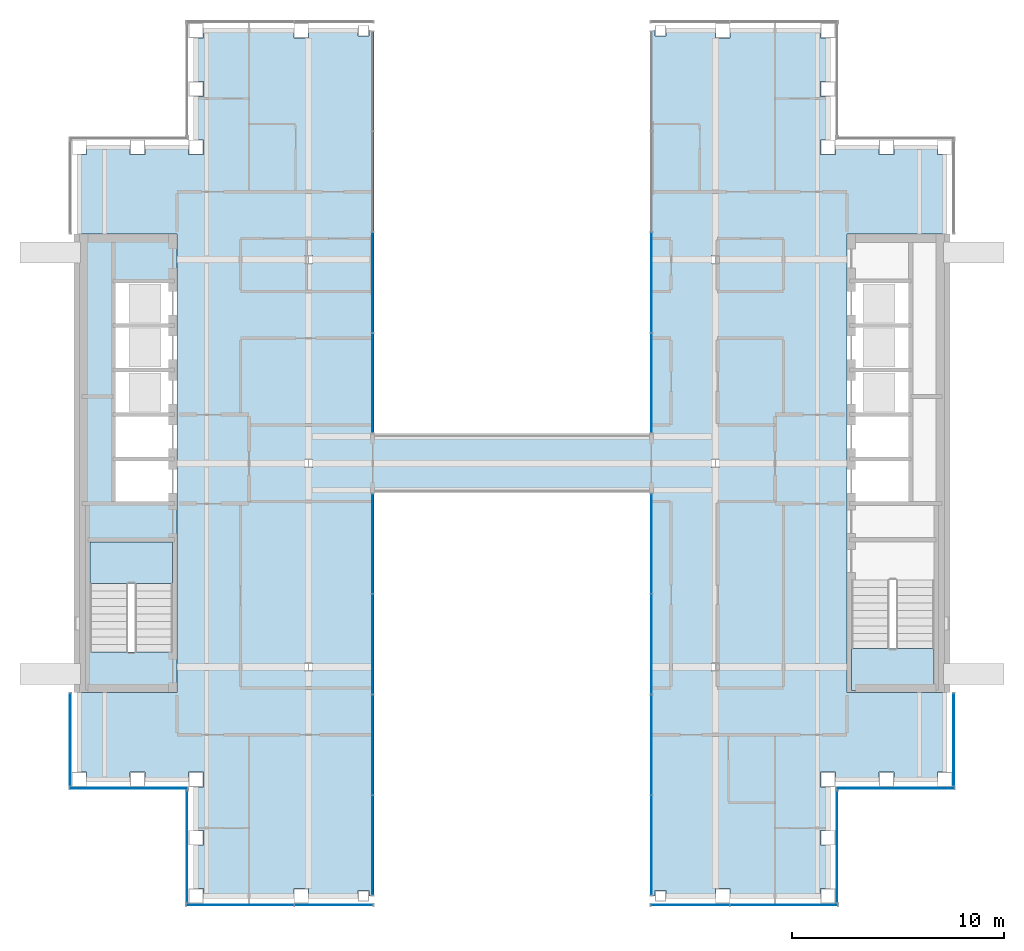
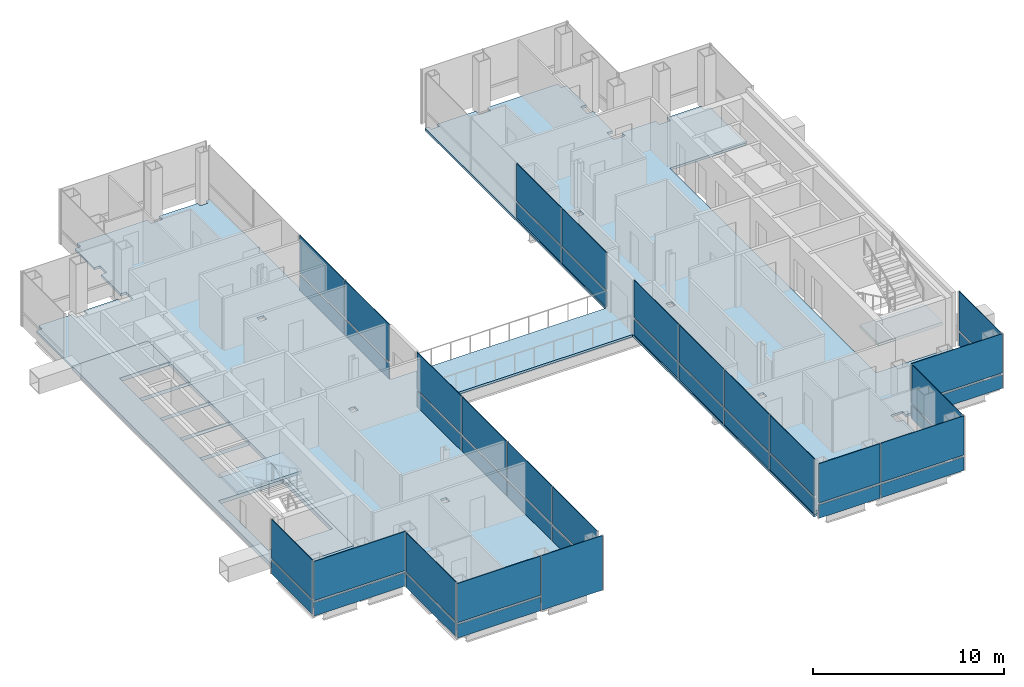
# One storey, part 10 of 16: 43 plates, 4 slabs, 14 elements without a shape of their own.
"""IFC4 building model written with IfcOpenShell, lengths in metres."""

from ifc_helpers import new_model, si_unit, direction, frame, origin, origin_2d, place, context, subcontext, project, spatial, polyline, rectangle, outline, extrude, material, layer, layer_set, type_object, element, aggregate, save


model = new_model("IFC4")

# Units and contexts
model_context = context("Model", 3, precision=1e-05, world=origin(), true_north=direction((0.0, 1.0)))
body_context = subcontext(model_context, "Body", "Model", "MODEL_VIEW")
ifc_project = project(units=[si_unit("LENGTHUNIT", "METRE"), si_unit("AREAUNIT", "SQUARE_METRE"), si_unit("VOLUMEUNIT", "CUBIC_METRE"), si_unit("PLANEANGLEUNIT", "RADIAN"), si_unit("MASSUNIT", "GRAM", prefix="KILO")], contexts=[model_context])

# Site, building, storey
site_placement = place(None, origin())
site = spatial("IfcSite", under=ifc_project, at=site_placement, CompositionType="ELEMENT")
building_placement = place(site_placement, origin())
building = spatial("IfcBuilding", under=site, at=building_placement, Name="Cobrizo Arcos Hotel Tower", CompositionType="ELEMENT")
storey_placement = place(building_placement, frame((0.0, 0.0, 229.5)))
storey = spatial("IfcBuildingStorey", under=building, at=storey_placement, Name="L60", CompositionType="ELEMENT", Elevation=229.5)

# Curtain wall, plate
ifc_material_1 = material(Name="Aluminium 6063-T6 anodised bronze", Category="aluminium")
curtain_wall_type_1 = type_object("IfcCurtainWallType", Name="CW-A guest facade", PredefinedType="NOTDEFINED", material=ifc_material_1)
curtain_wall_1_placement = place(storey_placement, origin())
curtain_wall_1 = element("IfcCurtainWall", 1, at=curtain_wall_1_placement, inside=storey, type_object=curtain_wall_type_1, Name="CW-A L60 S face", PredefinedType="NOTDEFINED")
ifc_material_2 = material(Name="Glass clear laminated low-e", Category="glass")
ifc_layer_1 = layer(ifc_material_2, 0.0400390625)
ifc_layer_set_1 = layer_set([ifc_layer_1], Name="CW-A glass panel")
plate_type_1 = type_object("IfcPlateType", Name="CW-A glass panel", PredefinedType="CURTAIN_PANEL", material=ifc_layer_set_1)
plate_1_placement = place(storey_placement, frame((-12.818359375, -20.824951171875, 0.990234375), z_axis=(0.0, 0.0, 1.0), x_axis=(1.0, 0.0, 0.0)))
plate_1 = element("IfcPlate", 2, at=plate_1_placement, type_object=plate_type_1, Name="CW-A glass panel 1948", PredefinedType="CURTAIN_PANEL", context=body_context, shape_type="SweptSolid", body=[
    extrude(rectangle(XDim=5.043212890625, YDim=0.0400390625, at=origin_2d()), origin(), (0.0, 0.0, 1.0), 2.510009765625),
])

# Curtain wall, plates
curtain_wall_2_placement = place(storey_placement, origin())
curtain_wall_2 = element("IfcCurtainWall", 3, at=curtain_wall_2_placement, inside=storey, type_object=curtain_wall_type_1, Name="CW-A L60 S face", PredefinedType="NOTDEFINED")
plate_2_placement = place(storey_placement, frame((8.3984375, -20.824951171875, 0.990234375), z_axis=(0.0, 0.0, 1.0), x_axis=(1.0, 0.0, 0.0)))
plate_2 = element("IfcPlate", 4, at=plate_2_placement, type_object=plate_type_1, Name="CW-A glass panel 1950", PredefinedType="CURTAIN_PANEL", context=body_context, shape_type="SweptSolid", body=[
    extrude(rectangle(XDim=3.6767578125, YDim=0.0400390625, at=origin_2d()), origin(), (0.0, 0.0, 1.0), 2.510009765625),
])
plate_3_placement = place(storey_placement, frame((12.818359375, -20.824951171875, 0.990234375), z_axis=(0.0, 0.0, 1.0), x_axis=(1.0, 0.0, 0.0)))
plate_3 = element("IfcPlate", 5, at=plate_3_placement, type_object=plate_type_1, Name="CW-A glass panel 1951", PredefinedType="CURTAIN_PANEL", context=body_context, shape_type="SweptSolid", body=[
    extrude(rectangle(XDim=5.043212890625, YDim=0.0400390625, at=origin_2d()), origin(), (0.0, 0.0, 1.0), 2.510009765625),
])

# Curtain wall, plate
curtain_wall_3_placement = place(storey_placement, origin())
curtain_wall_3 = element("IfcCurtainWall", 6, at=curtain_wall_3_placement, inside=storey, type_object=curtain_wall_type_1, Name="CW-A L60 E face", PredefinedType="NOTDEFINED")
plate_4_placement = place(storey_placement, frame((15.324951171875, -18.074951171875, 0.990234375), z_axis=(0.0, 0.0, 1.0), x_axis=(0.0, 1.0, 0.0)))
plate_4 = element("IfcPlate", 7, at=plate_4_placement, type_object=plate_type_1, Name="CW-A glass panel 1952", PredefinedType="CURTAIN_PANEL", context=body_context, shape_type="SweptSolid", body=[
    extrude(rectangle(XDim=5.22998046875, YDim=0.0400390625, at=origin_2d()), origin(), (0.0, 0.0, 1.0), 2.510009765625),
])

curtain_wall_4_placement = place(storey_placement, origin())
curtain_wall_4 = element("IfcCurtainWall", 8, at=curtain_wall_4_placement, inside=storey, type_object=curtain_wall_type_1, Name="CW-A L60 S face", PredefinedType="NOTDEFINED")
plate_5_placement = place(storey_placement, frame((18.074951171875, -15.324951171875, 0.990234375), z_axis=(0.0, 0.0, 1.0), x_axis=(1.0, 0.0, 0.0)))
plate_5 = element("IfcPlate", 9, at=plate_5_placement, type_object=plate_type_1, Name="CW-A glass panel 1953", PredefinedType="CURTAIN_PANEL", context=body_context, shape_type="SweptSolid", body=[
    extrude(rectangle(XDim=5.530029296875, YDim=0.0400390625, at=origin_2d()), origin(), (0.0, 0.0, 1.0), 2.510009765625),
])

curtain_wall_5_placement = place(storey_placement, origin())
curtain_wall_5 = element("IfcCurtainWall", 10, at=curtain_wall_5_placement, inside=storey, type_object=curtain_wall_type_1, Name="CW-A L60 E face", PredefinedType="NOTDEFINED")
plate_6_placement = place(storey_placement, frame((20.824951171875, -13.02490234375, 0.990234375), z_axis=(0.0, 0.0, 1.0), x_axis=(0.0, 1.0, 0.0)))
plate_6 = element("IfcPlate", 11, at=plate_6_placement, type_object=plate_type_1, Name="CW-A glass panel 1954", PredefinedType="CURTAIN_PANEL", context=body_context, shape_type="SweptSolid", body=[
    extrude(rectangle(XDim=4.330078125, YDim=0.0400390625, at=origin_2d()), origin(), (0.0, 0.0, 1.0), 2.510009765625),
])

curtain_wall_6_placement = place(storey_placement, origin())
curtain_wall_6 = element("IfcCurtainWall", 12, at=curtain_wall_6_placement, inside=storey, type_object=curtain_wall_type_1, Name="CW-A L60 W face", PredefinedType="NOTDEFINED")
plate_7_placement = place(storey_placement, frame((-20.824951171875, -13.02490234375, 0.990234375), z_axis=(0.0, 0.0, 1.0), x_axis=(0.0, -1.0, 0.0)))
plate_7 = element("IfcPlate", 13, at=plate_7_placement, type_object=plate_type_1, Name="CW-A glass panel 1965", PredefinedType="CURTAIN_PANEL", context=body_context, shape_type="SweptSolid", body=[
    extrude(rectangle(XDim=4.330078125, YDim=0.0400390625, at=origin_2d()), origin(), (0.0, 0.0, 1.0), 2.510009765625),
])

curtain_wall_7_placement = place(storey_placement, origin())
curtain_wall_7 = element("IfcCurtainWall", 14, at=curtain_wall_7_placement, inside=storey, type_object=curtain_wall_type_1, Name="CW-A L60 S face", PredefinedType="NOTDEFINED")
plate_8_placement = place(storey_placement, frame((-18.074951171875, -15.324951171875, 0.990234375), z_axis=(0.0, 0.0, 1.0), x_axis=(1.0, 0.0, 0.0)))
plate_8 = element("IfcPlate", 15, at=plate_8_placement, type_object=plate_type_1, Name="CW-A glass panel 1966", PredefinedType="CURTAIN_PANEL", context=body_context, shape_type="SweptSolid", body=[
    extrude(rectangle(XDim=5.530029296875, YDim=0.0400390625, at=origin_2d()), origin(), (0.0, 0.0, 1.0), 2.510009765625),
])

curtain_wall_8_placement = place(storey_placement, origin())
curtain_wall_8 = element("IfcCurtainWall", 16, at=curtain_wall_8_placement, inside=storey, type_object=curtain_wall_type_1, Name="CW-A L60 W face", PredefinedType="NOTDEFINED")
plate_9_placement = place(storey_placement, frame((-15.324951171875, -18.074951171875, 0.990234375), z_axis=(0.0, 0.0, 1.0), x_axis=(0.0, -1.0, 0.0)))
plate_9 = element("IfcPlate", 17, at=plate_9_placement, type_object=plate_type_1, Name="CW-A glass panel 1967", PredefinedType="CURTAIN_PANEL", context=body_context, shape_type="SweptSolid", body=[
    extrude(rectangle(XDim=5.22998046875, YDim=0.0400390625, at=origin_2d()), origin(), (0.0, 0.0, 1.0), 2.510009765625),
])

# Plate
ifc_material_3 = material(Name="Aluminium composite panel pale metal", Category="aluminium")
ifc_layer_2 = layer(ifc_material_3, 0.0400390625)
ifc_layer_set_2 = layer_set([ifc_layer_2], Name="CW-A spandrel panel")
plate_type_2 = type_object("IfcPlateType", Name="CW-A spandrel panel", PredefinedType="CURTAIN_PANEL", material=ifc_layer_set_2)
plate_10_placement = place(storey_placement, frame((-12.818359375, -20.824951171875, 0.0), z_axis=(0.0, 0.0, 1.0), x_axis=(1.0, 0.0, 0.0)))
plate_10 = element("IfcPlate", 18, at=plate_10_placement, type_object=plate_type_2, Name="CW-A spandrel panel 1948", PredefinedType="CURTAIN_PANEL", context=body_context, shape_type="SweptSolid", body=[
    extrude(rectangle(XDim=5.043212890625, YDim=0.0400390625, at=origin_2d()), origin(), (0.0, 0.0, 1.0), 0.8701171875),
])

plate_11_placement = place(storey_placement, frame((-8.3984375, -20.824951171875, 0.0), z_axis=(0.0, 0.0, 1.0), x_axis=(1.0, 0.0, 0.0)))
plate_11 = element("IfcPlate", 19, at=plate_11_placement, type_object=plate_type_2, Name="CW-A spandrel panel 1949", PredefinedType="CURTAIN_PANEL", context=body_context, shape_type="SweptSolid", body=[
    extrude(rectangle(XDim=3.6767578125, YDim=0.0400390625, at=origin_2d()), origin(), (0.0, 0.0, 1.0), 3.5),
])

aggregate(curtain_wall_1, [plate_10, plate_1, plate_11])

plate_12_placement = place(storey_placement, frame((8.3984375, -20.824951171875, 0.0), z_axis=(0.0, 0.0, 1.0), x_axis=(1.0, 0.0, 0.0)))
plate_12 = element("IfcPlate", 20, at=plate_12_placement, type_object=plate_type_2, Name="CW-A spandrel panel 1950", PredefinedType="CURTAIN_PANEL", context=body_context, shape_type="SweptSolid", body=[
    extrude(rectangle(XDim=3.6767578125, YDim=0.0400390625, at=origin_2d()), origin(), (0.0, 0.0, 1.0), 0.8701171875),
])

plate_13_placement = place(storey_placement, frame((12.818359375, -20.824951171875, 0.0), z_axis=(0.0, 0.0, 1.0), x_axis=(1.0, 0.0, 0.0)))
plate_13 = element("IfcPlate", 21, at=plate_13_placement, type_object=plate_type_2, Name="CW-A spandrel panel 1951", PredefinedType="CURTAIN_PANEL", context=body_context, shape_type="SweptSolid", body=[
    extrude(rectangle(XDim=5.043212890625, YDim=0.0400390625, at=origin_2d()), origin(), (0.0, 0.0, 1.0), 0.8701171875),
])

aggregate(curtain_wall_2, [plate_12, plate_2, plate_13, plate_3])

plate_14_placement = place(storey_placement, frame((15.324951171875, -18.074951171875, 0.0), z_axis=(0.0, 0.0, 1.0), x_axis=(0.0, 1.0, 0.0)))
plate_14 = element("IfcPlate", 22, at=plate_14_placement, type_object=plate_type_2, Name="CW-A spandrel panel 1952", PredefinedType="CURTAIN_PANEL", context=body_context, shape_type="SweptSolid", body=[
    extrude(rectangle(XDim=5.22998046875, YDim=0.0400390625, at=origin_2d()), origin(), (0.0, 0.0, 1.0), 0.8701171875),
])

aggregate(curtain_wall_3, [plate_14, plate_4])

plate_15_placement = place(storey_placement, frame((18.074951171875, -15.324951171875, 0.0), z_axis=(0.0, 0.0, 1.0), x_axis=(1.0, 0.0, 0.0)))
plate_15 = element("IfcPlate", 23, at=plate_15_placement, type_object=plate_type_2, Name="CW-A spandrel panel 1953", PredefinedType="CURTAIN_PANEL", context=body_context, shape_type="SweptSolid", body=[
    extrude(rectangle(XDim=5.530029296875, YDim=0.0400390625, at=origin_2d()), origin(), (0.0, 0.0, 1.0), 0.8701171875),
])

aggregate(curtain_wall_4, [plate_15, plate_5])

plate_16_placement = place(storey_placement, frame((20.824951171875, -13.02490234375, 0.0), z_axis=(0.0, 0.0, 1.0), x_axis=(0.0, 1.0, 0.0)))
plate_16 = element("IfcPlate", 24, at=plate_16_placement, type_object=plate_type_2, Name="CW-A spandrel panel 1954", PredefinedType="CURTAIN_PANEL", context=body_context, shape_type="SweptSolid", body=[
    extrude(rectangle(XDim=4.330078125, YDim=0.0400390625, at=origin_2d()), origin(), (0.0, 0.0, 1.0), 0.8701171875),
])

aggregate(curtain_wall_5, [plate_16, plate_6])

plate_17_placement = place(storey_placement, frame((-20.824951171875, -13.02490234375, 0.0), z_axis=(0.0, 0.0, 1.0), x_axis=(0.0, -1.0, 0.0)))
plate_17 = element("IfcPlate", 25, at=plate_17_placement, type_object=plate_type_2, Name="CW-A spandrel panel 1965", PredefinedType="CURTAIN_PANEL", context=body_context, shape_type="SweptSolid", body=[
    extrude(rectangle(XDim=4.330078125, YDim=0.0400390625, at=origin_2d()), origin(), (0.0, 0.0, 1.0), 0.8701171875),
])

aggregate(curtain_wall_6, [plate_17, plate_7])

plate_18_placement = place(storey_placement, frame((-18.074951171875, -15.324951171875, 0.0), z_axis=(0.0, 0.0, 1.0), x_axis=(1.0, 0.0, 0.0)))
plate_18 = element("IfcPlate", 26, at=plate_18_placement, type_object=plate_type_2, Name="CW-A spandrel panel 1966", PredefinedType="CURTAIN_PANEL", context=body_context, shape_type="SweptSolid", body=[
    extrude(rectangle(XDim=5.530029296875, YDim=0.0400390625, at=origin_2d()), origin(), (0.0, 0.0, 1.0), 0.8701171875),
])

aggregate(curtain_wall_7, [plate_18, plate_8])

plate_19_placement = place(storey_placement, frame((-15.324951171875, -18.074951171875, 0.0), z_axis=(0.0, 0.0, 1.0), x_axis=(0.0, -1.0, 0.0)))
plate_19 = element("IfcPlate", 27, at=plate_19_placement, type_object=plate_type_2, Name="CW-A spandrel panel 1967", PredefinedType="CURTAIN_PANEL", context=body_context, shape_type="SweptSolid", body=[
    extrude(rectangle(XDim=5.22998046875, YDim=0.0400390625, at=origin_2d()), origin(), (0.0, 0.0, 1.0), 0.8701171875),
])

aggregate(curtain_wall_8, [plate_19, plate_9])

# Curtain wall, plates
curtain_wall_type_2 = type_object("IfcCurtainWallType", Name="CW-F void screen", PredefinedType="NOTDEFINED", material=ifc_material_1)
curtain_wall_9_placement = place(storey_placement, origin())
curtain_wall_9 = element("IfcCurtainWall", 28, at=curtain_wall_9_placement, inside=storey, type_object=curtain_wall_type_2, Name="CW-F L60 void screen C", PredefinedType="NOTDEFINED")
ifc_layer_3 = layer(ifc_material_2, 0.0400390625)
ifc_layer_set_3 = layer_set([ifc_layer_3], Name="CW-F glass panel")
plate_type_3 = type_object("IfcPlateType", Name="CW-F glass panel", PredefinedType="CURTAIN_PANEL", material=ifc_layer_set_3)
plate_20_placement = place(storey_placement, frame((6.574951171875, -18.010009765625, 0.0), z_axis=(0.0, 0.0, 1.0), x_axis=(0.0, 1.0, 0.0)))
plate_20 = element("IfcPlate", 29, at=plate_20_placement, type_object=plate_type_3, Name="CW-F glass panel 2732", PredefinedType="CURTAIN_PANEL", context=body_context, shape_type="SweptSolid", body=[
    extrude(rectangle(XDim=4.659912109375, YDim=0.0400390625, at=origin_2d()), origin(), (0.0, 0.0, 1.0), 0.989990234375),
])
plate_21_placement = place(storey_placement, frame((6.574951171875, -18.010009765625, 1.10986328125), z_axis=(0.0, 0.0, 1.0), x_axis=(0.0, 1.0, 0.0)))
plate_21 = element("IfcPlate", 30, at=plate_21_placement, type_object=plate_type_3, Name="CW-F glass panel 2732", PredefinedType="CURTAIN_PANEL", context=body_context, shape_type="SweptSolid", body=[
    extrude(rectangle(XDim=4.659912109375, YDim=0.0400390625, at=origin_2d()), origin(), (0.0, 0.0, 1.0), 2.389892578125),
])
plate_22_placement = place(storey_placement, frame((6.574951171875, -13.27490234375, 0.0), z_axis=(0.0, 0.0, 1.0), x_axis=(0.0, 1.0, 0.0)))
plate_22 = element("IfcPlate", 31, at=plate_22_placement, type_object=plate_type_3, Name="CW-F glass panel 2733", PredefinedType="CURTAIN_PANEL", context=body_context, shape_type="SweptSolid", body=[
    extrude(rectangle(XDim=4.68994140625, YDim=0.0400390625, at=origin_2d()), origin(), (0.0, 0.0, 1.0), 0.989990234375),
])
plate_23_placement = place(storey_placement, frame((6.574951171875, -13.27490234375, 1.10986328125), z_axis=(0.0, 0.0, 1.0), x_axis=(0.0, 1.0, 0.0)))
plate_23 = element("IfcPlate", 32, at=plate_23_placement, type_object=plate_type_3, Name="CW-F glass panel 2733", PredefinedType="CURTAIN_PANEL", context=body_context, shape_type="SweptSolid", body=[
    extrude(rectangle(XDim=4.68994140625, YDim=0.0400390625, at=origin_2d()), origin(), (0.0, 0.0, 1.0), 2.389892578125),
])
plate_24_placement = place(storey_placement, frame((6.574951171875, -8.52490234375, 0.0), z_axis=(0.0, 0.0, 1.0), x_axis=(0.0, 1.0, 0.0)))
plate_24 = element("IfcPlate", 33, at=plate_24_placement, type_object=plate_type_3, Name="CW-F glass panel 2734", PredefinedType="CURTAIN_PANEL", context=body_context, shape_type="SweptSolid", body=[
    extrude(rectangle(XDim=4.68994140625, YDim=0.0400390625, at=origin_2d()), origin(), (0.0, 0.0, 1.0), 0.989990234375),
])
plate_25_placement = place(storey_placement, frame((6.574951171875, -8.52490234375, 1.10986328125), z_axis=(0.0, 0.0, 1.0), x_axis=(0.0, 1.0, 0.0)))
plate_25 = element("IfcPlate", 34, at=plate_25_placement, type_object=plate_type_3, Name="CW-F glass panel 2734", PredefinedType="CURTAIN_PANEL", context=body_context, shape_type="SweptSolid", body=[
    extrude(rectangle(XDim=4.68994140625, YDim=0.0400390625, at=origin_2d()), origin(), (0.0, 0.0, 1.0), 2.389892578125),
])
plate_26_placement = place(storey_placement, frame((6.574951171875, -3.7900390625, 0.0), z_axis=(0.0, 0.0, 1.0), x_axis=(0.0, 1.0, 0.0)))
plate_26 = element("IfcPlate", 35, at=plate_26_placement, type_object=plate_type_3, Name="CW-F glass panel 2735", PredefinedType="CURTAIN_PANEL", context=body_context, shape_type="SweptSolid", body=[
    extrude(rectangle(XDim=4.659912109375, YDim=0.0400390625, at=origin_2d()), origin(), (0.0, 0.0, 1.0), 0.989990234375),
])
plate_27_placement = place(storey_placement, frame((6.574951171875, -3.7900390625, 1.10986328125), z_axis=(0.0, 0.0, 1.0), x_axis=(0.0, 1.0, 0.0)))
plate_27 = element("IfcPlate", 36, at=plate_27_placement, type_object=plate_type_3, Name="CW-F glass panel 2735", PredefinedType="CURTAIN_PANEL", context=body_context, shape_type="SweptSolid", body=[
    extrude(rectangle(XDim=4.659912109375, YDim=0.0400390625, at=origin_2d()), origin(), (0.0, 0.0, 1.0), 2.389892578125),
])
aggregate(curtain_wall_9, [plate_20, plate_21, plate_22, plate_23, plate_24, plate_25, plate_26, plate_27])

curtain_wall_10_placement = place(storey_placement, origin())
curtain_wall_10 = element("IfcCurtainWall", 37, at=curtain_wall_10_placement, inside=storey, type_object=curtain_wall_type_2, Name="CW-F L60 void screen C", PredefinedType="NOTDEFINED")
plate_28_placement = place(storey_placement, frame((6.574951171875, 3.7900390625, 0.0), z_axis=(0.0, 0.0, 1.0), x_axis=(0.0, 1.0, 0.0)))
plate_28 = element("IfcPlate", 38, at=plate_28_placement, type_object=plate_type_3, Name="CW-F glass panel 2736", PredefinedType="CURTAIN_PANEL", context=body_context, shape_type="SweptSolid", body=[
    extrude(rectangle(XDim=4.659912109375, YDim=0.0400390625, at=origin_2d()), origin(), (0.0, 0.0, 1.0), 0.989990234375),
])
plate_29_placement = place(storey_placement, frame((6.574951171875, 3.7900390625, 1.10986328125), z_axis=(0.0, 0.0, 1.0), x_axis=(0.0, 1.0, 0.0)))
plate_29 = element("IfcPlate", 39, at=plate_29_placement, type_object=plate_type_3, Name="CW-F glass panel 2736", PredefinedType="CURTAIN_PANEL", context=body_context, shape_type="SweptSolid", body=[
    extrude(rectangle(XDim=4.659912109375, YDim=0.0400390625, at=origin_2d()), origin(), (0.0, 0.0, 1.0), 2.389892578125),
])
plate_30_placement = place(storey_placement, frame((6.574951171875, 8.52490234375, 0.0), z_axis=(0.0, 0.0, 1.0), x_axis=(0.0, 1.0, 0.0)))
plate_30 = element("IfcPlate", 40, at=plate_30_placement, type_object=plate_type_3, Name="CW-F glass panel 2737", PredefinedType="CURTAIN_PANEL", context=body_context, shape_type="SweptSolid", body=[
    extrude(rectangle(XDim=4.68994140625, YDim=0.0400390625, at=origin_2d()), origin(), (0.0, 0.0, 1.0), 0.989990234375),
])
plate_31_placement = place(storey_placement, frame((6.574951171875, 8.52490234375, 1.10986328125), z_axis=(0.0, 0.0, 1.0), x_axis=(0.0, 1.0, 0.0)))
plate_31 = element("IfcPlate", 41, at=plate_31_placement, type_object=plate_type_3, Name="CW-F glass panel 2737", PredefinedType="CURTAIN_PANEL", context=body_context, shape_type="SweptSolid", body=[
    extrude(rectangle(XDim=4.68994140625, YDim=0.0400390625, at=origin_2d()), origin(), (0.0, 0.0, 1.0), 2.389892578125),
])
aggregate(curtain_wall_10, [plate_28, plate_29, plate_30, plate_31])

curtain_wall_11_placement = place(storey_placement, origin())
curtain_wall_11 = element("IfcCurtainWall", 42, at=curtain_wall_11_placement, inside=storey, type_object=curtain_wall_type_2, Name="CW-F L60 void screen C", PredefinedType="NOTDEFINED")
plate_32_placement = place(storey_placement, frame((-6.574951171875, 8.52490234375, 0.0), z_axis=(0.0, 0.0, 1.0), x_axis=(0.0, -1.0, 0.0)))
plate_32 = element("IfcPlate", 43, at=plate_32_placement, type_object=plate_type_3, Name="CW-F glass panel 2742", PredefinedType="CURTAIN_PANEL", context=body_context, shape_type="SweptSolid", body=[
    extrude(rectangle(XDim=4.68994140625, YDim=0.0400390625, at=origin_2d()), origin(), (0.0, 0.0, 1.0), 0.989990234375),
])
plate_33_placement = place(storey_placement, frame((-6.574951171875, 8.52490234375, 1.10986328125), z_axis=(0.0, 0.0, 1.0), x_axis=(0.0, -1.0, 0.0)))
plate_33 = element("IfcPlate", 44, at=plate_33_placement, type_object=plate_type_3, Name="CW-F glass panel 2742", PredefinedType="CURTAIN_PANEL", context=body_context, shape_type="SweptSolid", body=[
    extrude(rectangle(XDim=4.68994140625, YDim=0.0400390625, at=origin_2d()), origin(), (0.0, 0.0, 1.0), 2.389892578125),
])
plate_34_placement = place(storey_placement, frame((-6.574951171875, 3.7900390625, 0.0), z_axis=(0.0, 0.0, 1.0), x_axis=(0.0, -1.0, 0.0)))
plate_34 = element("IfcPlate", 45, at=plate_34_placement, type_object=plate_type_3, Name="CW-F glass panel 2743", PredefinedType="CURTAIN_PANEL", context=body_context, shape_type="SweptSolid", body=[
    extrude(rectangle(XDim=4.659912109375, YDim=0.0400390625, at=origin_2d()), origin(), (0.0, 0.0, 1.0), 0.989990234375),
])
plate_35_placement = place(storey_placement, frame((-6.574951171875, 3.7900390625, 1.10986328125), z_axis=(0.0, 0.0, 1.0), x_axis=(0.0, -1.0, 0.0)))
plate_35 = element("IfcPlate", 46, at=plate_35_placement, type_object=plate_type_3, Name="CW-F glass panel 2743", PredefinedType="CURTAIN_PANEL", context=body_context, shape_type="SweptSolid", body=[
    extrude(rectangle(XDim=4.659912109375, YDim=0.0400390625, at=origin_2d()), origin(), (0.0, 0.0, 1.0), 2.389892578125),
])
aggregate(curtain_wall_11, [plate_32, plate_33, plate_34, plate_35])

curtain_wall_12_placement = place(storey_placement, origin())
curtain_wall_12 = element("IfcCurtainWall", 47, at=curtain_wall_12_placement, inside=storey, type_object=curtain_wall_type_2, Name="CW-F L60 void screen C", PredefinedType="NOTDEFINED")
plate_36_placement = place(storey_placement, frame((-6.574951171875, -3.7900390625, 0.0), z_axis=(0.0, 0.0, 1.0), x_axis=(0.0, -1.0, 0.0)))
plate_36 = element("IfcPlate", 48, at=plate_36_placement, type_object=plate_type_3, Name="CW-F glass panel 2744", PredefinedType="CURTAIN_PANEL", context=body_context, shape_type="SweptSolid", body=[
    extrude(rectangle(XDim=4.659912109375, YDim=0.0400390625, at=origin_2d()), origin(), (0.0, 0.0, 1.0), 0.989990234375),
])
plate_37_placement = place(storey_placement, frame((-6.574951171875, -3.7900390625, 1.10986328125), z_axis=(0.0, 0.0, 1.0), x_axis=(0.0, -1.0, 0.0)))
plate_37 = element("IfcPlate", 49, at=plate_37_placement, type_object=plate_type_3, Name="CW-F glass panel 2744", PredefinedType="CURTAIN_PANEL", context=body_context, shape_type="SweptSolid", body=[
    extrude(rectangle(XDim=4.659912109375, YDim=0.0400390625, at=origin_2d()), origin(), (0.0, 0.0, 1.0), 2.389892578125),
])
plate_38_placement = place(storey_placement, frame((-6.574951171875, -8.52490234375, 0.0), z_axis=(0.0, 0.0, 1.0), x_axis=(0.0, -1.0, 0.0)))
plate_38 = element("IfcPlate", 50, at=plate_38_placement, type_object=plate_type_3, Name="CW-F glass panel 2745", PredefinedType="CURTAIN_PANEL", context=body_context, shape_type="SweptSolid", body=[
    extrude(rectangle(XDim=4.68994140625, YDim=0.0400390625, at=origin_2d()), origin(), (0.0, 0.0, 1.0), 0.989990234375),
])
plate_39_placement = place(storey_placement, frame((-6.574951171875, -8.52490234375, 1.10986328125), z_axis=(0.0, 0.0, 1.0), x_axis=(0.0, -1.0, 0.0)))
plate_39 = element("IfcPlate", 51, at=plate_39_placement, type_object=plate_type_3, Name="CW-F glass panel 2745", PredefinedType="CURTAIN_PANEL", context=body_context, shape_type="SweptSolid", body=[
    extrude(rectangle(XDim=4.68994140625, YDim=0.0400390625, at=origin_2d()), origin(), (0.0, 0.0, 1.0), 2.389892578125),
])
plate_40_placement = place(storey_placement, frame((-6.574951171875, -13.27490234375, 0.0), z_axis=(0.0, 0.0, 1.0), x_axis=(0.0, -1.0, 0.0)))
plate_40 = element("IfcPlate", 52, at=plate_40_placement, type_object=plate_type_3, Name="CW-F glass panel 2746", PredefinedType="CURTAIN_PANEL", context=body_context, shape_type="SweptSolid", body=[
    extrude(rectangle(XDim=4.68994140625, YDim=0.0400390625, at=origin_2d()), origin(), (0.0, 0.0, 1.0), 0.989990234375),
])
plate_41_placement = place(storey_placement, frame((-6.574951171875, -13.27490234375, 1.10986328125), z_axis=(0.0, 0.0, 1.0), x_axis=(0.0, -1.0, 0.0)))
plate_41 = element("IfcPlate", 53, at=plate_41_placement, type_object=plate_type_3, Name="CW-F glass panel 2746", PredefinedType="CURTAIN_PANEL", context=body_context, shape_type="SweptSolid", body=[
    extrude(rectangle(XDim=4.68994140625, YDim=0.0400390625, at=origin_2d()), origin(), (0.0, 0.0, 1.0), 2.389892578125),
])
plate_42_placement = place(storey_placement, frame((-6.574951171875, -18.010009765625, 0.0), z_axis=(0.0, 0.0, 1.0), x_axis=(0.0, -1.0, 0.0)))
plate_42 = element("IfcPlate", 54, at=plate_42_placement, type_object=plate_type_3, Name="CW-F glass panel 2747", PredefinedType="CURTAIN_PANEL", context=body_context, shape_type="SweptSolid", body=[
    extrude(rectangle(XDim=4.659912109375, YDim=0.0400390625, at=origin_2d()), origin(), (0.0, 0.0, 1.0), 0.989990234375),
])
plate_43_placement = place(storey_placement, frame((-6.574951171875, -18.010009765625, 1.10986328125), z_axis=(0.0, 0.0, 1.0), x_axis=(0.0, -1.0, 0.0)))
plate_43 = element("IfcPlate", 55, at=plate_43_placement, type_object=plate_type_3, Name="CW-F glass panel 2747", PredefinedType="CURTAIN_PANEL", context=body_context, shape_type="SweptSolid", body=[
    extrude(rectangle(XDim=4.659912109375, YDim=0.0400390625, at=origin_2d()), origin(), (0.0, 0.0, 1.0), 2.389892578125),
])
aggregate(curtain_wall_12, [plate_36, plate_37, plate_38, plate_39, plate_40, plate_41, plate_42, plate_43])

# Slabs
ifc_material_4 = material(Name="Concrete f'c 35 MPa", Category="concrete")
ifc_layer_4 = layer(ifc_material_4, 0.14990234375)
ifc_layer_set_4 = layer_set([ifc_layer_4], Name="Composite floor slab 150 f'c 35")
slab_type_1 = type_object("IfcSlabType", Name="Composite floor slab 150 f'c 35", PredefinedType="FLOOR", material=ifc_layer_set_4)
slab_1_placement = place(storey_placement, frame((0.0, 0.0, -0.14990234375)))
element("IfcSlab", 56, at=slab_1_placement, inside=storey, type_object=slab_type_1, Name="Floor slab S5, L60, no. 01", PredefinedType="FLOOR", context=body_context, shape_type="SweptSolid", body=[
    extrude(outline(polyline([(17.300048828125, 14.89990234375), (17.300048828125, 14.550048828125), (18.0, 14.550048828125), (18.0, 14.89990234375), (20.050048828125, 14.89990234375), (20.050048828125, 14.550048828125), (20.39990234375, 14.550048828125), (20.39990234375, 10.800048828125), (15.800048828125, 10.800048828125), (15.800048828125, -10.800048828125), (20.39990234375, -10.800048828125), (20.39990234375, -14.550048828125), (20.050048828125, -14.550048828125), (20.050048828125, -14.89990234375), (18.0, -14.89990234375), (18.0, -14.550048828125), (17.300048828125, -14.550048828125), (17.300048828125, -14.89990234375), (15.25, -14.89990234375), (15.25, -14.550048828125), (14.550048828125, -14.550048828125), (14.550048828125, -15.25), (14.89990234375, -15.25), (14.89990234375, -17.300048828125), (14.550048828125, -17.300048828125), (14.550048828125, -18.0), (14.89990234375, -18.0), (14.89990234375, -20.050048828125), (14.550048828125, -20.050048828125), (14.550048828125, -20.39990234375), (10.282958984375, -20.39990234375), (10.282958984375, -20.050048828125), (9.5830078125, -20.050048828125), (9.5830078125, -20.39990234375), (7.25, -20.39990234375), (7.25, -20.14990234375), (6.75, -20.14990234375), (6.75, -20.39990234375), (6.5, -20.39990234375), (6.5, -1.39990234375), (-6.5, -1.39990234375), (-6.5, -20.39990234375), (-6.75, -20.39990234375), (-6.75, -20.14990234375), (-7.25, -20.14990234375), (-7.25, -20.39990234375), (-9.5830078125, -20.39990234375), (-9.5830078125, -20.050048828125), (-10.282958984375, -20.050048828125), (-10.282958984375, -20.39990234375), (-14.550048828125, -20.39990234375), (-14.550048828125, -20.050048828125), (-14.89990234375, -20.050048828125), (-14.89990234375, -18.0), (-14.550048828125, -18.0), (-14.550048828125, -17.300048828125), (-14.89990234375, -17.300048828125), (-14.89990234375, -15.25), (-14.550048828125, -15.25), (-14.550048828125, -14.550048828125), (-15.25, -14.550048828125), (-15.25, -14.89990234375), (-17.300048828125, -14.89990234375), (-17.300048828125, -14.550048828125), (-18.0, -14.550048828125), (-18.0, -14.89990234375), (-20.050048828125, -14.89990234375), (-20.050048828125, -14.550048828125), (-20.39990234375, -14.550048828125), (-20.39990234375, -10.800048828125), (-15.800048828125, -10.800048828125), (-15.800048828125, 10.800048828125), (-20.39990234375, 10.800048828125), (-20.39990234375, 14.550048828125), (-20.050048828125, 14.550048828125), (-20.050048828125, 14.89990234375), (-18.0, 14.89990234375), (-18.0, 14.550048828125), (-17.300048828125, 14.550048828125), (-17.300048828125, 14.89990234375), (-15.25, 14.89990234375), (-15.25, 14.550048828125), (-14.550048828125, 14.550048828125), (-14.550048828125, 15.25), (-14.89990234375, 15.25), (-14.89990234375, 17.300048828125), (-14.550048828125, 17.300048828125), (-14.550048828125, 18.0), (-14.89990234375, 18.0), (-14.89990234375, 20.050048828125), (-14.550048828125, 20.050048828125), (-14.550048828125, 20.39990234375), (-10.282958984375, 20.39990234375), (-10.282958984375, 20.050048828125), (-9.5830078125, 20.050048828125), (-9.5830078125, 20.39990234375), (-7.25, 20.39990234375), (-7.25, 20.14990234375), (-6.75, 20.14990234375), (-6.75, 20.39990234375), (-6.5, 20.39990234375), (-6.5, 1.39990234375), (6.5, 1.39990234375), (6.5, 20.39990234375), (6.75, 20.39990234375), (6.75, 20.14990234375), (7.25, 20.14990234375), (7.25, 20.39990234375), (9.5830078125, 20.39990234375), (9.5830078125, 20.050048828125), (10.282958984375, 20.050048828125), (10.282958984375, 20.39990234375), (14.550048828125, 20.39990234375), (14.550048828125, 20.050048828125), (14.89990234375, 20.050048828125), (14.89990234375, 18.0), (14.550048828125, 18.0), (14.550048828125, 17.300048828125), (14.89990234375, 17.300048828125), (14.89990234375, 15.25), (14.550048828125, 15.25), (14.550048828125, 14.550048828125), (15.25, 14.550048828125), (15.25, 14.89990234375), (17.300048828125, 14.89990234375)]), holes=[polyline([(-9.78662109375, -9.78662109375), (-9.413330078125, -9.78662109375), (-9.413330078125, -9.413330078125), (-9.78662109375, -9.413330078125), (-9.78662109375, -9.78662109375)]), polyline([(-9.413330078125, -0.186767578125), (-9.413330078125, 0.186767578125), (-9.78662109375, 0.186767578125), (-9.78662109375, -0.186767578125), (-9.413330078125, -0.186767578125)]), polyline([(-9.413330078125, 9.413330078125), (-9.413330078125, 9.78662109375), (-9.78662109375, 9.78662109375), (-9.78662109375, 9.413330078125), (-9.413330078125, 9.413330078125)]), polyline([(9.413330078125, -9.78662109375), (9.78662109375, -9.78662109375), (9.78662109375, -9.413330078125), (9.413330078125, -9.413330078125), (9.413330078125, -9.78662109375)]), polyline([(9.413330078125, -0.186767578125), (9.78662109375, -0.186767578125), (9.78662109375, 0.186767578125), (9.413330078125, 0.186767578125), (9.413330078125, -0.186767578125)]), polyline([(9.78662109375, 9.413330078125), (9.78662109375, 9.78662109375), (9.413330078125, 9.78662109375), (9.413330078125, 9.413330078125), (9.78662109375, 9.413330078125)])]), origin(), (0.0, 0.0, 1.0), 0.14990234375),
])
ifc_material_5 = material(Name="Concrete f'c 40 MPa", Category="concrete")
ifc_layer_5 = layer(ifc_material_5, 0.25)
ifc_layer_set_5 = layer_set([ifc_layer_5], Name="RC core floor slab 250 f'c 40")
slab_type_2 = type_object("IfcSlabType", Name="RC core floor slab 250 f'c 40", PredefinedType="FLOOR", material=ifc_layer_set_5)
slab_2_placement = place(storey_placement, frame((0.0, 0.0, -0.25)))
element("IfcSlab", 57, at=slab_2_placement, inside=storey, type_object=slab_type_2, Name="Core floor slab CS7, west core, L60", PredefinedType="FLOOR", context=body_context, shape_type="SweptSolid", body=[
    extrude(outline(polyline([(-20.39990234375, 10.800048828125), (-15.800048828125, 10.800048828125), (-15.800048828125, -10.800048828125), (-20.39990234375, -10.800048828125), (-20.39990234375, 10.800048828125)]), holes=[polyline([(-19.89794921875, -3.701904296875), (-19.89794921875, -8.89794921875), (-16.001953125, -8.89794921875), (-16.001953125, -3.701904296875), (-19.89794921875, -3.701904296875)]), polyline([(-18.798095703125, 0.197998046875), (-18.798095703125, -1.89794921875), (-15.802001953125, -1.89794921875), (-15.802001953125, 0.197998046875), (-18.798095703125, 0.197998046875)]), polyline([(-18.798095703125, 2.298095703125), (-18.798095703125, 0.201904296875), (-15.802001953125, 0.201904296875), (-15.802001953125, 2.298095703125), (-18.798095703125, 2.298095703125)]), polyline([(-18.798095703125, 4.39794921875), (-18.798095703125, 2.302001953125), (-15.802001953125, 2.302001953125), (-15.802001953125, 4.39794921875), (-18.798095703125, 4.39794921875)]), polyline([(-15.802001953125, 6.498046875), (-18.798095703125, 6.498046875), (-18.798095703125, 4.402099609375), (-15.802001953125, 4.402099609375), (-15.802001953125, 6.498046875)]), polyline([(-15.802001953125, 8.597900390625), (-18.798095703125, 8.597900390625), (-18.798095703125, 6.501953125), (-15.802001953125, 6.501953125), (-15.802001953125, 8.597900390625)])]), origin(), (0.0, 0.0, 1.0), 0.25),
])

# Stair, slab
stair_type = type_object("IfcStairType", Name="Exit stair", PredefinedType="HALF_TURN_STAIR", material=ifc_material_5)
stair_1_placement = place(storey_placement, origin())
stair_1 = element("IfcStair", 58, at=stair_1_placement, inside=storey, type_object=stair_type, Name="L60 Exit stair ST-W", PredefinedType="HALF_TURN_STAIR")
ifc_layer_6 = layer(ifc_material_5, 0.199951171875)
ifc_layer_set_6 = layer_set([ifc_layer_6], Name="Stair landing")
slab_type_3 = type_object("IfcSlabType", Name="Stair landing", PredefinedType="LANDING", material=ifc_layer_set_6)
slab_3_placement = place(storey_placement, frame((0.0, 0.0, 1.550048828125)))
slab_3 = element("IfcSlab", 59, at=slab_3_placement, type_object=slab_type_3, Name="ST-W landing 1", PredefinedType="LANDING", context=body_context, shape_type="SweptSolid", body=[
    extrude(outline(polyline([(-16.0, -5.659912109375), (-16.0, -3.699951171875), (-19.89990234375, -3.699951171875), (-19.89990234375, -5.659912109375), (-16.0, -5.659912109375)])), origin(), (0.0, 0.0, 1.0), 0.199951171875),
])
aggregate(stair_1, [slab_3])

stair_2_placement = place(storey_placement, origin())
stair_2 = element("IfcStair", 60, at=stair_2_placement, inside=storey, type_object=stair_type, Name="L60 Exit stair ST-E", PredefinedType="HALF_TURN_STAIR")
slab_4_placement = place(storey_placement, frame((0.0, 0.0, 1.550048828125)))
slab_4 = element("IfcSlab", 61, at=slab_4_placement, type_object=slab_type_3, Name="ST-E landing 1", PredefinedType="LANDING", context=body_context, shape_type="SweptSolid", body=[
    extrude(outline(polyline([(16.0, -8.739990234375), (16.0, -10.699951171875), (19.89990234375, -10.699951171875), (19.89990234375, -8.739990234375), (16.0, -8.739990234375)])), origin(), (0.0, 0.0, 1.0), 0.199951171875),
])
aggregate(stair_2, [slab_4])

save(model, "model.ifc")
